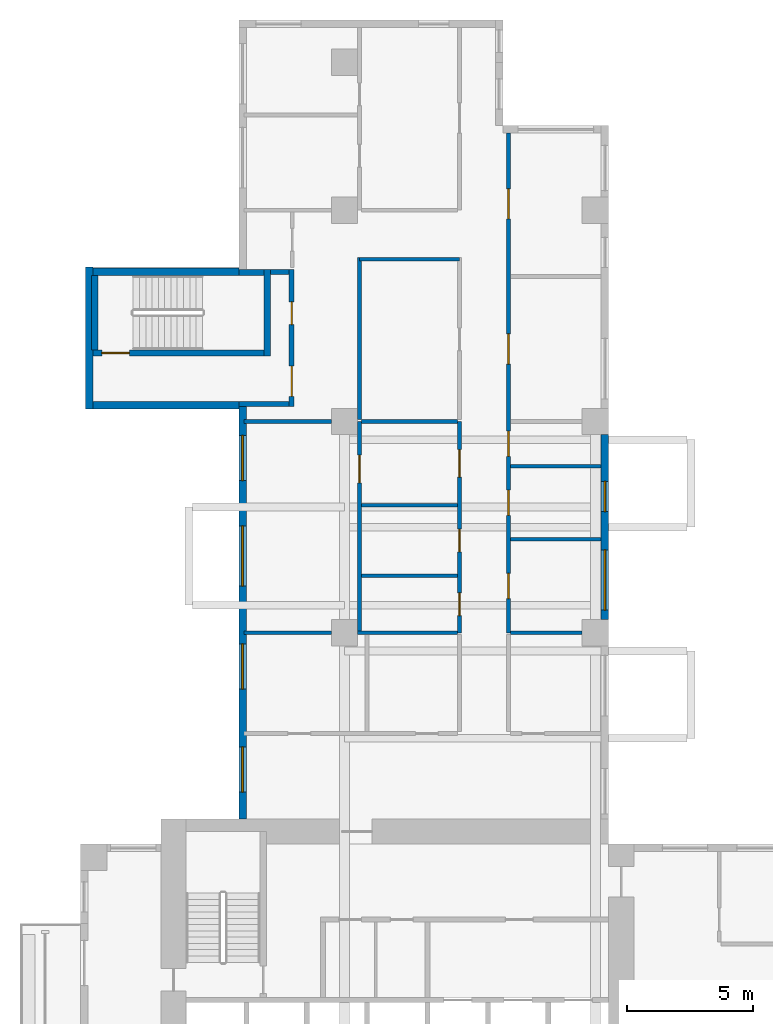
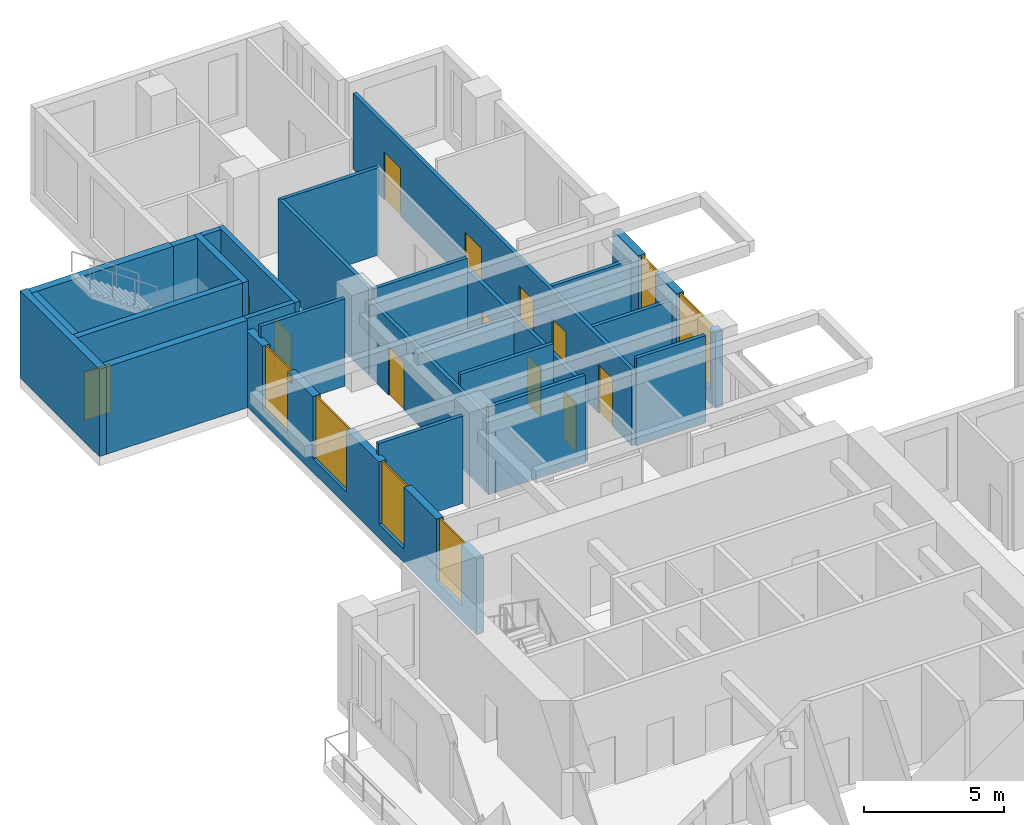
# One storey, part 6 of 14: 26 walls, 12 doors, 6 windows, 18 openings.
"""IFC4 building model written with IfcOpenShell, lengths in metres."""

from ifc_helpers import new_model, si_unit, direction, frame, frame_2d, origin, place, context, subcontext, project, spatial, rectangle, extrude, source, transform, mapped, material, layer, layer_set, type_object, element, fill, save


model = new_model("IFC4")

# Units and contexts
model_context = context("Model", 3, precision=1e-05, world=origin(), true_north=direction((0.0, 1.0)))
body_context = subcontext(model_context, "Body", "Model", "MODEL_VIEW")
ifc_project = project(units=[si_unit("LENGTHUNIT", "METRE"), si_unit("AREAUNIT", "SQUARE_METRE"), si_unit("VOLUMEUNIT", "CUBIC_METRE"), si_unit("PLANEANGLEUNIT", "RADIAN"), si_unit("MASSUNIT", "GRAM", prefix="KILO")], contexts=[model_context])

# Site, building, storey
site_placement = place(None, origin())
site = spatial("IfcSite", under=ifc_project, at=site_placement, CompositionType="ELEMENT")
building_placement = place(site_placement, origin())
building = spatial("IfcBuilding", under=site, at=building_placement, Name="Aurelian Terraces", CompositionType="ELEMENT")
storey_placement = place(building_placement, frame((0.0, 0.0, 103.5)))
storey = spatial("IfcBuildingStorey", under=building, at=storey_placement, Name="L22", CompositionType="ELEMENT", Elevation=103.5)

# Wall, openings, windows
ifc_material_1 = material(Name="Terracotta rainscreen cladding", Category="masonry")
ifc_layer_1 = layer(ifc_material_1, 0.3)
ifc_layer_set_1 = layer_set([ifc_layer_1], Name="EW-300")
wall_type_1 = type_object("IfcWallType", Name="EW-300", PredefinedType="STANDARD", material=ifc_layer_set_1)
wall_1_placement = place(storey_placement, frame((20.85, 29.925, 0.0), z_axis=(0.0, 0.0, 1.0), x_axis=(0.0, 1.0, 0.0)))
wall_1 = element("IfcWall", 1, at=wall_1_placement, inside=storey, type_object=wall_type_1, Name="External wall L22 F12.25", PredefinedType="STANDARD", context=body_context, shape_type="SweptSolid", body=[
    extrude(rectangle(XDim=7.35, YDim=0.3, at=frame_2d((3.675, 0.0))), origin(), (0.0, 0.0, 1.0), 3.3),
])
shared_shape_1 = source(origin(), body_context, "Body", "SweptSolid", [
    extrude(rectangle(XDim=2.4, YDim=2.7, at=frame_2d((1.2, 1.35))), frame((0.0, 0.16, 0.0), z_axis=(0.0, -1.0, 0.0), x_axis=(1.0, 0.0, 0.0)), (0.0, 0.0, 1.0), 0.32),
])
opening_1_placement = place(wall_1_placement, frame((0.375, 0.0, 0.6)))
opening_1 = element("IfcOpeningElement", 2, at=opening_1_placement, cuts=wall_1, Name="Opening W2427", PredefinedType="OPENING", context=body_context, shape_type="MappedRepresentation", body=[
    mapped(shared_shape_1, transform((0.0, 0.0, 0.0), scale=1.0)),
])
shared_shape_2 = source(origin(), body_context, "Body", "SweptSolid", [
    extrude(rectangle(XDim=1.2, YDim=2.7, at=frame_2d((0.6, 1.35))), frame((0.0, 0.16, 0.0), z_axis=(0.0, -1.0, 0.0), x_axis=(1.0, 0.0, 0.0)), (0.0, 0.0, 1.0), 0.32),
])
opening_2_placement = place(wall_1_placement, frame((4.2933, 0.0, 0.6)))
opening_2 = element("IfcOpeningElement", 3, at=opening_2_placement, cuts=wall_1, Name="Opening W1227", PredefinedType="OPENING", context=body_context, shape_type="MappedRepresentation", body=[
    mapped(shared_shape_2, transform((0.0, 0.0, 0.0), scale=1.0)),
])
ifc_material_2 = material(Name="Clear glazing", Category="glass")
window_type_1 = type_object("IfcWindowType", Name="W-2400x2700", PartitioningType="SINGLE_PANEL", PredefinedType="WINDOW", material=ifc_material_2)
shared_shape_3 = source(origin(), body_context, "Body", "SweptSolid", [
    extrude(rectangle(XDim=2.4, YDim=2.7, at=frame_2d((1.2, 1.35))), frame((0.0, 0.03, 0.0), z_axis=(0.0, -1.0, 0.0), x_axis=(1.0, 0.0, 0.0)), (0.0, 0.0, 1.0), 0.06),
])
window_1_placement = place(opening_1_placement, origin())
window_1 = element("IfcWindow", 4, at=window_1_placement, inside=storey, type_object=window_type_1, Name="Window L22 L22-F12-25-0", OverallHeight=2.7, OverallWidth=2.4, PartitioningType="SINGLE_PANEL", PredefinedType="WINDOW", context=body_context, shape_type="MappedRepresentation", body=[
    mapped(shared_shape_3, transform((0.0, 0.0, 0.0), scale=1.0)),
])
fill(opening_1, window_1)
window_type_2 = type_object("IfcWindowType", Name="W-1200x2700", PartitioningType="SINGLE_PANEL", PredefinedType="WINDOW", material=ifc_material_2)
shared_shape_4 = source(origin(), body_context, "Body", "SweptSolid", [
    extrude(rectangle(XDim=1.2, YDim=2.7, at=frame_2d((0.6, 1.35))), frame((0.0, 0.03, 0.0), z_axis=(0.0, -1.0, 0.0), x_axis=(1.0, 0.0, 0.0)), (0.0, 0.0, 1.0), 0.06),
])
window_2_placement = place(opening_2_placement, origin())
window_2 = element("IfcWindow", 5, at=window_2_placement, inside=storey, type_object=window_type_2, Name="Window L22 L22-F12-25-G0-33", OverallHeight=2.7, OverallWidth=1.2, PartitioningType="SINGLE_PANEL", PredefinedType="WINDOW", context=body_context, shape_type="MappedRepresentation", body=[
    mapped(shared_shape_4, transform((0.0, 0.0, 0.0), scale=1.0)),
])
fill(opening_2, window_2)

wall_2_placement = place(storey_placement, frame((6.45, 38.4, 0.0), z_axis=(0.0, 0.0, 1.0), x_axis=(0.0, -1.0, 0.0)))
wall_2 = element("IfcWall", 6, at=wall_2_placement, inside=storey, type_object=wall_type_1, Name="External wall L22 F20.36", PredefinedType="STANDARD", context=body_context, shape_type="SweptSolid", body=[
    extrude(rectangle(XDim=16.4, YDim=0.3, at=frame_2d((8.2, 0.0))), origin(), (0.0, 0.0, 1.0), 3.3),
])
shared_shape_5 = source(origin(), body_context, "Body", "SweptSolid", [
    extrude(rectangle(XDim=1.8, YDim=2.7, at=frame_2d((0.9, 1.35))), frame((0.0, 0.16, 0.0), z_axis=(0.0, -1.0, 0.0), x_axis=(1.0, 0.0, 0.0)), (0.0, 0.0, 1.0), 0.32),
])
opening_3_placement = place(wall_2_placement, frame((1.15, 0.0, 0.6)))
opening_3 = element("IfcOpeningElement", 7, at=opening_3_placement, cuts=wall_2, Name="Opening W1827", PredefinedType="OPENING", context=body_context, shape_type="MappedRepresentation", body=[
    mapped(shared_shape_5, transform((0.0, 0.0, 0.0), scale=1.0)),
])
opening_4_placement = place(wall_2_placement, frame((4.75, 0.0, 0.6)))
opening_4 = element("IfcOpeningElement", 8, at=opening_4_placement, cuts=wall_2, Name="Opening W2427", PredefinedType="OPENING", context=body_context, shape_type="MappedRepresentation", body=[
    mapped(shared_shape_1, transform((0.0, 0.0, 0.0), scale=1.0)),
])
opening_5_placement = place(wall_2_placement, frame((9.4375, 0.0, 0.6)))
opening_5 = element("IfcOpeningElement", 9, at=opening_5_placement, cuts=wall_2, Name="Opening W1827", PredefinedType="OPENING", context=body_context, shape_type="MappedRepresentation", body=[
    mapped(shared_shape_5, transform((0.0, 0.0, 0.0), scale=1.0)),
])
opening_6_placement = place(wall_2_placement, frame((13.5375, 0.0, 0.6)))
opening_6 = element("IfcOpeningElement", 10, at=opening_6_placement, cuts=wall_2, Name="Opening W1827", PredefinedType="OPENING", context=body_context, shape_type="MappedRepresentation", body=[
    mapped(shared_shape_5, transform((0.0, 0.0, 0.0), scale=1.0)),
])
window_3_placement = place(opening_4_placement, origin())
window_3 = element("IfcWindow", 11, at=window_3_placement, inside=storey, type_object=window_type_1, Name="Window L22 L22-F20-36-1", OverallHeight=2.7, OverallWidth=2.4, PartitioningType="SINGLE_PANEL", PredefinedType="WINDOW", context=body_context, shape_type="MappedRepresentation", body=[
    mapped(shared_shape_3, transform((0.0, 0.0, 0.0), scale=1.0)),
])
fill(opening_4, window_3)
window_type_3 = type_object("IfcWindowType", Name="W-1800x2700", PartitioningType="SINGLE_PANEL", PredefinedType="WINDOW", material=ifc_material_2)
shared_shape_6 = source(origin(), body_context, "Body", "SweptSolid", [
    extrude(rectangle(XDim=1.8, YDim=2.7, at=frame_2d((0.9, 1.35))), frame((0.0, 0.03, 0.0), z_axis=(0.0, -1.0, 0.0), x_axis=(1.0, 0.0, 0.0)), (0.0, 0.0, 1.0), 0.06),
])
window_4_placement = place(opening_3_placement, origin())
window_4 = element("IfcWindow", 12, at=window_4_placement, inside=storey, type_object=window_type_3, Name="Window L22 L22-F20-36-0", OverallHeight=2.7, OverallWidth=1.8, PartitioningType="SINGLE_PANEL", PredefinedType="WINDOW", context=body_context, shape_type="MappedRepresentation", body=[
    mapped(shared_shape_6, transform((0.0, 0.0, 0.0), scale=1.0)),
])
fill(opening_3, window_4)
window_5_placement = place(opening_5_placement, origin())
window_5 = element("IfcWindow", 13, at=window_5_placement, inside=storey, type_object=window_type_3, Name="Window L22 L22-F20-36-2", OverallHeight=2.7, OverallWidth=1.8, PartitioningType="SINGLE_PANEL", PredefinedType="WINDOW", context=body_context, shape_type="MappedRepresentation", body=[
    mapped(shared_shape_6, transform((0.0, 0.0, 0.0), scale=1.0)),
])
fill(opening_5, window_5)
window_6_placement = place(opening_6_placement, origin())
window_6 = element("IfcWindow", 14, at=window_6_placement, inside=storey, type_object=window_type_3, Name="Window L22 L22-F20-36-3", OverallHeight=2.7, OverallWidth=1.8, PartitioningType="SINGLE_PANEL", PredefinedType="WINDOW", context=body_context, shape_type="MappedRepresentation", body=[
    mapped(shared_shape_6, transform((0.0, 0.0, 0.0), scale=1.0)),
])
fill(opening_6, window_6)

# Wall, openings, doors
ifc_material_3 = material(Name="Gypsum board on steel studs", Category="steel")
ifc_layer_2 = layer(ifc_material_3, 0.15)
ifc_layer_set_2 = layer_set([ifc_layer_2], Name="Fire partition 150")
wall_type_2 = type_object("IfcWallType", Name="Fire partition 150", PredefinedType="PARTITIONING", material=ifc_layer_set_2)
wall_3_placement = place(storey_placement, frame((17.025, 49.26, 0.0), z_axis=(0.0, 0.0, 1.0), x_axis=(0.0, -1.0, 0.0)))
wall_3 = element("IfcWall", 15, at=wall_3_placement, inside=storey, type_object=wall_type_2, Name="Corridor wall", PredefinedType="PARTITIONING", context=body_context, shape_type="SweptSolid", body=[
    extrude(rectangle(XDim=19.86, YDim=0.15, at=frame_2d((9.93, 0.0))), origin(), (0.0, 0.0, 1.0), 3.3),
])
shared_shape_7 = source(origin(), body_context, "Body", "SweptSolid", [
    extrude(rectangle(XDim=1.0, YDim=2.1, at=frame_2d((0.5, 1.05))), frame((0.0, 0.085, 0.0), z_axis=(0.0, -1.0, 0.0), x_axis=(1.0, 0.0, 0.0)), (0.0, 0.0, 1.0), 0.17),
])
opening_7_placement = place(wall_3_placement, frame((17.5033, 0.0, 0.0)))
opening_7 = element("IfcOpeningElement", 16, at=opening_7_placement, cuts=wall_3, Name="Opening 722036", PredefinedType="OPENING", context=body_context, shape_type="MappedRepresentation", body=[
    mapped(shared_shape_7, transform((0.0, 0.0, 0.0), scale=1.0)),
])
opening_8_placement = place(wall_3_placement, frame((14.1914, 0.0, 0.0)))
opening_8 = element("IfcOpeningElement", 17, at=opening_8_placement, cuts=wall_3, Name="Opening 722037", PredefinedType="OPENING", context=body_context, shape_type="MappedRepresentation", body=[
    mapped(shared_shape_7, transform((0.0, 0.0, 0.0), scale=1.0)),
])
opening_9_placement = place(wall_3_placement, frame((11.848, 0.0, 0.0)))
opening_9 = element("IfcOpeningElement", 18, at=opening_9_placement, cuts=wall_3, Name="Opening 722038", PredefinedType="OPENING", context=body_context, shape_type="MappedRepresentation", body=[
    mapped(shared_shape_7, transform((0.0, 0.0, 0.0), scale=1.0)),
])
shared_shape_8 = source(origin(), body_context, "Body", "SweptSolid", [
    extrude(rectangle(XDim=1.2, YDim=2.1, at=frame_2d((0.6, 1.05))), frame((0.0, 0.085, 0.0), z_axis=(0.0, -1.0, 0.0), x_axis=(1.0, 0.0, 0.0)), (0.0, 0.0, 1.0), 0.17),
])
opening_10_placement = place(wall_3_placement, frame((7.9762, 0.0, 0.0)))
opening_10 = element("IfcOpeningElement", 19, at=opening_10_placement, cuts=wall_3, Name="Opening 722039", PredefinedType="OPENING", context=body_context, shape_type="MappedRepresentation", body=[
    mapped(shared_shape_8, transform((0.0, 0.0, 0.0), scale=1.0)),
])
opening_11_placement = place(wall_3_placement, frame((2.2088, 0.0, 0.0)))
opening_11 = element("IfcOpeningElement", 20, at=opening_11_placement, cuts=wall_3, Name="Opening 722040", PredefinedType="OPENING", context=body_context, shape_type="MappedRepresentation", body=[
    mapped(shared_shape_8, transform((0.0, 0.0, 0.0), scale=1.0)),
])
ifc_material_4 = material(Name="Timber door leaf", Category="wood")
door_type_1 = type_object("IfcDoorType", Name="Room door 1000x2100 left", OperationType="SINGLE_SWING_LEFT", PredefinedType="DOOR", material=ifc_material_4)
shared_shape_9 = source(origin(), body_context, "Body", "SweptSolid", [
    extrude(rectangle(XDim=1.0, YDim=2.1, at=frame_2d((0.5, 1.05))), frame((0.0, 0.025, 0.0), z_axis=(0.0, -1.0, 0.0), x_axis=(1.0, 0.0, 0.0)), (0.0, 0.0, 1.0), 0.05),
])
door_1_placement = place(opening_7_placement, origin())
door_1 = element("IfcDoor", 21, at=door_1_placement, inside=storey, type_object=door_type_1, Name="Door 722036", OperationType="SINGLE_SWING_LEFT", OverallHeight=2.1, OverallWidth=1.0, PredefinedType="DOOR", context=body_context, shape_type="MappedRepresentation", body=[
    mapped(shared_shape_9, transform((0.0, 0.0, 0.0), scale=1.0)),
])
fill(opening_7, door_1)
door_type_2 = type_object("IfcDoorType", Name="Room door 1000x2100 right", OperationType="SINGLE_SWING_RIGHT", PredefinedType="DOOR", material=ifc_material_4)
door_2_placement = place(opening_8_placement, origin())
door_2 = element("IfcDoor", 22, at=door_2_placement, inside=storey, type_object=door_type_2, Name="Door 722037", OperationType="SINGLE_SWING_RIGHT", OverallHeight=2.1, OverallWidth=1.0, PredefinedType="DOOR", context=body_context, shape_type="MappedRepresentation", body=[
    mapped(shared_shape_9, transform((0.0, 0.0, 0.0), scale=1.0)),
])
fill(opening_8, door_2)
door_3_placement = place(opening_9_placement, origin())
door_3 = element("IfcDoor", 23, at=door_3_placement, inside=storey, type_object=door_type_1, Name="Door 722038", OperationType="SINGLE_SWING_LEFT", OverallHeight=2.1, OverallWidth=1.0, PredefinedType="DOOR", context=body_context, shape_type="MappedRepresentation", body=[
    mapped(shared_shape_9, transform((0.0, 0.0, 0.0), scale=1.0)),
])
fill(opening_9, door_3)
door_type_3 = type_object("IfcDoorType", Name="Room door 1200x2100 left", OperationType="SINGLE_SWING_LEFT", PredefinedType="DOOR", material=ifc_material_4)
shared_shape_10 = source(origin(), body_context, "Body", "SweptSolid", [
    extrude(rectangle(XDim=1.2, YDim=2.1, at=frame_2d((0.6, 1.05))), frame((0.0, 0.025, 0.0), z_axis=(0.0, -1.0, 0.0), x_axis=(1.0, 0.0, 0.0)), (0.0, 0.0, 1.0), 0.05),
])
door_4_placement = place(opening_10_placement, origin())
door_4 = element("IfcDoor", 24, at=door_4_placement, inside=storey, type_object=door_type_3, Name="Door 722039", OperationType="SINGLE_SWING_LEFT", OverallHeight=2.1, OverallWidth=1.2, PredefinedType="DOOR", context=body_context, shape_type="MappedRepresentation", body=[
    mapped(shared_shape_10, transform((0.0, 0.0, 0.0), scale=1.0)),
])
fill(opening_10, door_4)
door_type_4 = type_object("IfcDoorType", Name="Room door 1200x2100 right", OperationType="SINGLE_SWING_RIGHT", PredefinedType="DOOR", material=ifc_material_4)
door_5_placement = place(opening_11_placement, origin())
door_5 = element("IfcDoor", 25, at=door_5_placement, inside=storey, type_object=door_type_4, Name="Door 722040", OperationType="SINGLE_SWING_RIGHT", OverallHeight=2.1, OverallWidth=1.2, PredefinedType="DOOR", context=body_context, shape_type="MappedRepresentation", body=[
    mapped(shared_shape_10, transform((0.0, 0.0, 0.0), scale=1.0)),
])
fill(opening_11, door_5)

# Walls
ifc_layer_3 = layer(ifc_material_3, 0.15)
ifc_layer_set_3 = layer_set([ifc_layer_3], Name="Partition 150")
wall_type_3 = type_object("IfcWallType", Name="Partition 150", PredefinedType="PARTITIONING", material=ifc_layer_set_3)
wall_4_placement = place(storey_placement, frame((9.976, 29.4, 0.0), z_axis=(0.0, 0.0, 1.0), x_axis=(-1.0, 0.0, 0.0)))
element("IfcWall", 26, at=wall_4_placement, inside=storey, type_object=wall_type_3, Name="Partition", PredefinedType="PARTITIONING", context=body_context, shape_type="SweptSolid", body=[
    extrude(rectangle(XDim=3.471, YDim=0.15, at=frame_2d((1.7355, 0.0))), origin(), (0.0, 0.0, 1.0), 3.8),
])
wall_5_placement = place(storey_placement, frame((15.0, 34.4708, 0.0), z_axis=(0.0, 0.0, 1.0), x_axis=(-1.0, 0.0, 0.0)))
element("IfcWall", 27, at=wall_5_placement, inside=storey, type_object=wall_type_3, Name="Partition", PredefinedType="PARTITIONING", context=body_context, shape_type="SweptSolid", body=[
    extrude(rectangle(XDim=3.825, YDim=0.15, at=frame_2d((1.9125, 0.0))), origin(), (0.0, 0.0, 1.0), 3.3),
])
ifc_material_5 = material(Name="Concrete fc' 40 MPa", Category="concrete")
ifc_layer_4 = layer(ifc_material_5, 0.3)
ifc_layer_set_4 = layer_set([ifc_layer_4], Name="STAIR BAY WALL 300")
wall_type_4 = type_object("IfcWallType", Name="STAIR BAY WALL 300", PredefinedType="SOLIDWALL", material=ifc_layer_set_4)
shared_shape_11 = source(origin(), body_context, "Body", "SweptSolid", [
    extrude(rectangle(XDim=6.1, YDim=0.3, at=frame_2d((3.05, 0.0))), origin(), (0.0, 0.0, 1.0), 3.8),
])
for number, where, z_axis, x_axis, name in (
    (28, (6.3, 43.75, 0.0), (0.0, 0.0, 1.0), (-1.0, 0.0, 0.0), "Stair bay wall L22 F17.33"),
    (29, (0.2, 38.45, 0.0), (0.0, 0.0, 1.0), (1.0, 0.0, 0.0), "Stair bay wall L22 F19.35"),
):
    element("IfcWall", number, at=place(storey_placement, frame(where, z_axis=z_axis, x_axis=x_axis)), inside=storey, type_object=wall_type_4, Name=name, PredefinedType="SOLIDWALL", context=body_context, shape_type="MappedRepresentation", body=[
        mapped(shared_shape_11, transform((0.0, 0.0, 0.0), scale=1.0)),
    ])
shared_shape_12 = source(origin(), body_context, "Body", "SweptSolid", [
    extrude(rectangle(XDim=5.65, YDim=0.3, at=frame_2d((2.825, 0.0))), origin(), (0.0, 0.0, 1.0), 3.8),
])
wall_6_placement = place(storey_placement, frame((0.35, 43.95, 0.0), z_axis=(0.0, 0.0, 1.0), x_axis=(0.0, -1.0, 0.0)))
element("IfcWall", 30, at=wall_6_placement, inside=storey, type_object=wall_type_4, Name="Stair bay wall L22 F18.34", PredefinedType="SOLIDWALL", context=body_context, shape_type="MappedRepresentation", body=[
    mapped(shared_shape_12, transform((0.0, 0.0, 0.0), scale=1.0)),
])

# Wall, opening, door
ifc_layer_5 = layer(ifc_material_5, 0.25)
ifc_layer_set_5 = layer_set([ifc_layer_5], Name="Stair enclosure wall 250")
wall_type_5 = type_object("IfcWallType", Name="Stair enclosure wall 250", PredefinedType="SOLIDWALL", material=ifc_layer_set_5)
shared_shape_13 = source(origin(), body_context, "Body", "SweptSolid", [
    extrude(rectangle(XDim=7.0, YDim=0.25, at=frame_2d((3.5, 0.0))), origin(), (0.0, 0.0, 1.0), 3.8),
])
wall_7_placement = place(storey_placement, frame((0.3, 40.525, 0.0), z_axis=(0.0, 0.0, 1.0), x_axis=(1.0, 0.0, 0.0)))
wall_7 = element("IfcWall", 31, at=wall_7_placement, inside=storey, type_object=wall_type_5, Name="L22 core wall ST-S3-W", PredefinedType="SOLIDWALL", context=body_context, shape_type="MappedRepresentation", body=[
    mapped(shared_shape_13, transform((0.0, 0.0, 0.0), scale=1.0)),
])
shared_shape_14 = source(origin(), body_context, "Body", "SweptSolid", [
    extrude(rectangle(XDim=1.1, YDim=2.1, at=frame_2d((0.55, 1.05))), frame((0.0, 0.135, 0.0), z_axis=(0.0, -1.0, 0.0), x_axis=(1.0, 0.0, 0.0)), (0.0, 0.0, 1.0), 0.27),
])
opening_12_placement = place(wall_7_placement, frame((0.55, 0.0, 0.0)))
opening_12 = element("IfcOpeningElement", 32, at=opening_12_placement, cuts=wall_7, Name="Opening 62517", PredefinedType="OPENING", context=body_context, shape_type="MappedRepresentation", body=[
    mapped(shared_shape_14, transform((0.0, 0.0, 0.0), scale=1.0)),
])
ifc_material_6 = material(Name="Steel door leaf", Category="steel")
door_type_5 = type_object("IfcDoorType", Name="Core fire door 1100x2100", OperationType="SINGLE_SWING_LEFT", PredefinedType="DOOR", material=ifc_material_6)
shared_shape_15 = source(origin(), body_context, "Body", "SweptSolid", [
    extrude(rectangle(XDim=1.1, YDim=2.1, at=frame_2d((0.55, 1.05))), frame((0.0, 0.025, 0.0), z_axis=(0.0, -1.0, 0.0), x_axis=(1.0, 0.0, 0.0)), (0.0, 0.0, 1.0), 0.05),
])
door_6_placement = place(opening_12_placement, origin())
door_6 = element("IfcDoor", 33, at=door_6_placement, inside=storey, type_object=door_type_5, Name="Stair door 62517", OperationType="SINGLE_SWING_LEFT", OverallHeight=2.1, OverallWidth=1.1, PredefinedType="DOOR", context=body_context, shape_type="MappedRepresentation", body=[
    mapped(shared_shape_15, transform((0.0, 0.0, 0.0), scale=1.0)),
])
fill(opening_12, door_6)

# Walls
shared_shape_16 = source(origin(), body_context, "Body", "SweptSolid", [
    extrude(rectangle(XDim=3.45, YDim=0.25, at=frame_2d((1.725, 0.0))), origin(), (0.0, 0.0, 1.0), 3.8),
])
wall_8_placement = place(storey_placement, frame((7.425, 40.4, 0.0), z_axis=(0.0, 0.0, 1.0), x_axis=(0.0, 1.0, 0.0)))
element("IfcWall", 34, at=wall_8_placement, inside=storey, type_object=wall_type_5, Name="L22 core wall ST-S3-N", PredefinedType="SOLIDWALL", context=body_context, shape_type="MappedRepresentation", body=[
    mapped(shared_shape_16, transform((0.0, 0.0, 0.0), scale=1.0)),
])
shared_shape_17 = source(origin(), body_context, "Body", "SweptSolid", [
    extrude(rectangle(XDim=2.95, YDim=0.25, at=frame_2d((1.475, 0.0))), origin(), (0.0, 0.0, 1.0), 3.8),
])
wall_9_placement = place(storey_placement, frame((0.575, 40.65, 0.0), z_axis=(0.0, 0.0, 1.0), x_axis=(0.0, 1.0, 0.0)))
element("IfcWall", 35, at=wall_9_placement, inside=storey, type_object=wall_type_5, Name="L22 core wall ST-S3-SS", PredefinedType="SOLIDWALL", context=body_context, shape_type="MappedRepresentation", body=[
    mapped(shared_shape_17, transform((0.0, 0.0, 0.0), scale=1.0)),
])

# Wall, openings, doors
ifc_layer_6 = layer(ifc_material_3, 0.2)
ifc_layer_set_6 = layer_set([ifc_layer_6], Name="Core partition 200")
wall_type_6 = type_object("IfcWallType", Name="Core partition 200", PredefinedType="PARTITIONING", material=ifc_layer_set_6)
shared_shape_18 = source(origin(), body_context, "Body", "SweptSolid", [
    extrude(rectangle(XDim=5.45, YDim=0.2, at=frame_2d((2.725, 0.0))), origin(), (0.0, 0.0, 1.0), 3.8),
])
wall_10_placement = place(storey_placement, frame((8.4, 38.4, 0.0), z_axis=(0.0, 0.0, 1.0), x_axis=(0.0, 1.0, 0.0)))
wall_10 = element("IfcWall", 36, at=wall_10_placement, inside=storey, type_object=wall_type_6, Name="L22 core wall ST-S3-BN", PredefinedType="PARTITIONING", context=body_context, shape_type="MappedRepresentation", body=[
    mapped(shared_shape_18, transform((0.0, 0.0, 0.0), scale=1.0)),
])
shared_shape_19 = source(origin(), body_context, "Body", "SweptSolid", [
    extrude(rectangle(XDim=1.2, YDim=2.1, at=frame_2d((0.6, 1.05))), frame((0.0, 0.11, 0.0), z_axis=(0.0, -1.0, 0.0), x_axis=(1.0, 0.0, 0.0)), (0.0, 0.0, 1.0), 0.22),
])
opening_13_placement = place(wall_10_placement, frame((0.4, 0.0, 0.0)))
opening_13 = element("IfcOpeningElement", 37, at=opening_13_placement, cuts=wall_10, Name="Opening 62518", PredefinedType="OPENING", context=body_context, shape_type="MappedRepresentation", body=[
    mapped(shared_shape_19, transform((0.0, 0.0, 0.0), scale=1.0)),
])
shared_shape_20 = source(origin(), body_context, "Body", "SweptSolid", [
    extrude(rectangle(XDim=0.9, YDim=2.1, at=frame_2d((0.45, 1.05))), frame((0.0, 0.11, 0.0), z_axis=(0.0, -1.0, 0.0), x_axis=(1.0, 0.0, 0.0)), (0.0, 0.0, 1.0), 0.22),
])
opening_14_placement = place(wall_10_placement, frame((3.25, 0.0, 0.0)))
opening_14 = element("IfcOpeningElement", 38, at=opening_14_placement, cuts=wall_10, Name="Opening 62519", PredefinedType="OPENING", context=body_context, shape_type="MappedRepresentation", body=[
    mapped(shared_shape_20, transform((0.0, 0.0, 0.0), scale=1.0)),
])
door_type_6 = type_object("IfcDoorType", Name="Core riser door 900x2100", OperationType="SINGLE_SWING_LEFT", PredefinedType="DOOR", material=ifc_material_6)
shared_shape_21 = source(origin(), body_context, "Body", "SweptSolid", [
    extrude(rectangle(XDim=0.9, YDim=2.1, at=frame_2d((0.45, 1.05))), frame((0.0, 0.025, 0.0), z_axis=(0.0, -1.0, 0.0), x_axis=(1.0, 0.0, 0.0)), (0.0, 0.0, 1.0), 0.05),
])
door_7_placement = place(opening_14_placement, origin())
door_7 = element("IfcDoor", 39, at=door_7_placement, inside=storey, type_object=door_type_6, Name="Riser door 62519", OperationType="SINGLE_SWING_LEFT", OverallHeight=2.1, OverallWidth=0.9, PredefinedType="DOOR", context=body_context, shape_type="MappedRepresentation", body=[
    mapped(shared_shape_21, transform((0.0, 0.0, 0.0), scale=1.0)),
])
fill(opening_14, door_7)
door_type_7 = type_object("IfcDoorType", Name="Core fire door 1200x2100 right", OperationType="SINGLE_SWING_RIGHT", PredefinedType="DOOR", material=ifc_material_6)
door_8_placement = place(opening_13_placement, origin())
door_8 = element("IfcDoor", 40, at=door_8_placement, inside=storey, type_object=door_type_7, Name="Vestibule door 62518", OperationType="SINGLE_SWING_RIGHT", OverallHeight=2.1, OverallWidth=1.2, PredefinedType="DOOR", context=body_context, shape_type="MappedRepresentation", body=[
    mapped(shared_shape_10, transform((0.0, 0.0, 0.0), scale=1.0)),
])
fill(opening_13, door_8)

# Walls
shared_shape_22 = source(origin(), body_context, "Body", "SweptSolid", [
    extrude(rectangle(XDim=0.75, YDim=0.2, at=frame_2d((0.375, 0.0))), origin(), (0.0, 0.0, 1.0), 3.8),
])
wall_11_placement = place(storey_placement, frame((7.55, 43.75, 0.0), z_axis=(0.0, 0.0, 1.0), x_axis=(1.0, 0.0, 0.0)))
element("IfcWall", 41, at=wall_11_placement, inside=storey, type_object=wall_type_6, Name="L22 core wall ST-S3-RE", PredefinedType="PARTITIONING", context=body_context, shape_type="MappedRepresentation", body=[
    mapped(shared_shape_22, transform((0.0, 0.0, 0.0), scale=1.0)),
])
shared_shape_23 = source(origin(), body_context, "Body", "SweptSolid", [
    extrude(rectangle(XDim=1.0, YDim=0.25, at=frame_2d((0.5, 0.0))), origin(), (0.0, 0.0, 1.0), 3.8),
])
wall_12_placement = place(storey_placement, frame((6.3, 43.725, 0.0), z_axis=(0.0, 0.0, 1.0), x_axis=(1.0, 0.0, 0.0)))
element("IfcWall", 42, at=wall_12_placement, inside=storey, type_object=wall_type_5, Name="L22 core wall ST-S3-E", PredefinedType="SOLIDWALL", context=body_context, shape_type="MappedRepresentation", body=[
    mapped(shared_shape_23, transform((0.0, 0.0, 0.0), scale=1.0)),
])
shared_shape_24 = source(origin(), body_context, "Body", "SweptSolid", [
    extrude(rectangle(XDim=2.0, YDim=0.2, at=frame_2d((1.0, 0.0))), origin(), (0.0, 0.0, 1.0), 3.8),
])
wall_13_placement = place(storey_placement, frame((6.3, 38.5, 0.0), z_axis=(0.0, 0.0, 1.0), x_axis=(1.0, 0.0, 0.0)))
element("IfcWall", 43, at=wall_13_placement, inside=storey, type_object=wall_type_6, Name="L22 core wall ST-S3-VW", PredefinedType="PARTITIONING", context=body_context, shape_type="MappedRepresentation", body=[
    mapped(shared_shape_24, transform((0.0, 0.0, 0.0), scale=1.0)),
])
shared_shape_25 = source(origin(), body_context, "Body", "SweptSolid", [
    extrude(rectangle(XDim=6.45, YDim=0.15, at=frame_2d((3.225, 0.0))), origin(), (0.0, 0.0, 1.0), 3.8),
])
wall_14_placement = place(storey_placement, frame((11.1, 44.325, 0.0), z_axis=(0.0, 0.0, 1.0), x_axis=(0.0, -1.0, 0.0)))
element("IfcWall", 44, at=wall_14_placement, inside=storey, type_object=wall_type_3, Name="Partition", PredefinedType="PARTITIONING", context=body_context, shape_type="MappedRepresentation", body=[
    mapped(shared_shape_25, transform((0.0, 0.0, 0.0), scale=1.0)),
])
shared_shape_26 = source(origin(), body_context, "Body", "SweptSolid", [
    extrude(rectangle(XDim=3.975, YDim=0.15, at=frame_2d((1.9875, 0.0))), origin(), (0.0, 0.0, 1.0), 3.8),
])
wall_15_placement = place(storey_placement, frame((15.075, 44.25, 0.0), z_axis=(0.0, 0.0, 1.0), x_axis=(-1.0, 0.0, 0.0)))
element("IfcWall", 45, at=wall_15_placement, inside=storey, type_object=wall_type_3, Name="Partition", PredefinedType="PARTITIONING", context=body_context, shape_type="MappedRepresentation", body=[
    mapped(shared_shape_26, transform((0.0, 0.0, 0.0), scale=1.0)),
])
shared_shape_27 = source(origin(), body_context, "Body", "SweptSolid", [
    extrude(rectangle(XDim=3.6, YDim=0.15, at=frame_2d((1.8, 0.0))), origin(), (0.0, 0.0, 1.0), 2.8),
])
for number, where, z_axis, x_axis, name in (
    (46, (17.1, 33.1133, 0.0), (0.0, 0.0, 1.0), (1.0, 0.0, 0.0), "Partition"),
    (47, (17.1, 36.024, 0.0), (0.0, 0.0, 1.0), (1.0, 0.0, 0.0), "Partition"),
):
    element("IfcWall", number, at=place(storey_placement, frame(where, z_axis=z_axis, x_axis=x_axis)), inside=storey, type_object=wall_type_3, Name=name, PredefinedType="PARTITIONING", context=body_context, shape_type="MappedRepresentation", body=[
        mapped(shared_shape_27, transform((0.0, 0.0, 0.0), scale=1.0)),
    ])

# Wall, opening, door
shared_shape_28 = source(origin(), body_context, "Body", "SweptSolid", [
    extrude(rectangle(XDim=8.4, YDim=0.15, at=frame_2d((4.2, 0.0))), origin(), (0.0, 0.0, 1.0), 3.3),
])
wall_16_placement = place(storey_placement, frame((11.1, 29.4, 0.0), z_axis=(0.0, 0.0, 1.0), x_axis=(0.0, 1.0, 0.0)))
wall_16 = element("IfcWall", 48, at=wall_16_placement, inside=storey, type_object=wall_type_3, Name="Partition", PredefinedType="PARTITIONING", context=body_context, shape_type="MappedRepresentation", body=[
    mapped(shared_shape_28, transform((0.0, 0.0, 0.0), scale=1.0)),
])
shared_shape_29 = source(origin(), body_context, "Body", "SweptSolid", [
    extrude(rectangle(XDim=1.1, YDim=2.1, at=frame_2d((0.55, 1.05))), frame((0.0, 0.085, 0.0), z_axis=(0.0, -1.0, 0.0), x_axis=(1.0, 0.0, 0.0)), (0.0, 0.0, 1.0), 0.17),
])
opening_15_placement = place(wall_16_placement, frame((5.9604, 0.0, 0.0)))
opening_15 = element("IfcOpeningElement", 49, at=opening_15_placement, cuts=wall_16, Name="Opening 722030", PredefinedType="OPENING", context=body_context, shape_type="MappedRepresentation", body=[
    mapped(shared_shape_29, transform((0.0, 0.0, 0.0), scale=1.0)),
])
door_type_8 = type_object("IfcDoorType", Name="Room door 1100x2100 right", OperationType="SINGLE_SWING_RIGHT", PredefinedType="DOOR", material=ifc_material_4)
door_9_placement = place(opening_15_placement, origin())
door_9 = element("IfcDoor", 50, at=door_9_placement, inside=storey, type_object=door_type_8, Name="Door 722030", OperationType="SINGLE_SWING_RIGHT", OverallHeight=2.1, OverallWidth=1.1, PredefinedType="DOOR", context=body_context, shape_type="MappedRepresentation", body=[
    mapped(shared_shape_15, transform((0.0, 0.0, 0.0), scale=1.0)),
])
fill(opening_15, door_9)

# Wall, openings, doors
wall_17_placement = place(storey_placement, frame((15.075, 29.4, 0.0), z_axis=(0.0, 0.0, 1.0), x_axis=(0.0, 1.0, 0.0)))
wall_17 = element("IfcWall", 51, at=wall_17_placement, inside=storey, type_object=wall_type_2, Name="Corridor wall", PredefinedType="PARTITIONING", context=body_context, shape_type="MappedRepresentation", body=[
    mapped(shared_shape_28, transform((0.0, 0.0, 0.0), scale=1.0)),
])
opening_16_placement = place(wall_17_placement, frame((6.1854, 0.0, 0.0)))
opening_16 = element("IfcOpeningElement", 52, at=opening_16_placement, cuts=wall_17, Name="Opening 722029", PredefinedType="OPENING", context=body_context, shape_type="MappedRepresentation", body=[
    mapped(shared_shape_29, transform((0.0, 0.0, 0.0), scale=1.0)),
])
shared_shape_30 = source(origin(), body_context, "Body", "SweptSolid", [
    extrude(rectangle(XDim=0.9, YDim=2.1, at=frame_2d((0.45, 1.05))), frame((0.0, 0.085, 0.0), z_axis=(0.0, -1.0, 0.0), x_axis=(1.0, 0.0, 0.0)), (0.0, 0.0, 1.0), 0.17),
])
opening_17_placement = place(wall_17_placement, frame((0.6822, 0.0, 0.0)))
opening_17 = element("IfcOpeningElement", 53, at=opening_17_placement, cuts=wall_17, Name="Opening 722031", PredefinedType="OPENING", context=body_context, shape_type="MappedRepresentation", body=[
    mapped(shared_shape_30, transform((0.0, 0.0, 0.0), scale=1.0)),
])
opening_18_placement = place(wall_17_placement, frame((3.2176, 0.0, 0.0)))
opening_18 = element("IfcOpeningElement", 54, at=opening_18_placement, cuts=wall_17, Name="Opening 722032", PredefinedType="OPENING", context=body_context, shape_type="MappedRepresentation", body=[
    mapped(shared_shape_30, transform((0.0, 0.0, 0.0), scale=1.0)),
])
door_type_9 = type_object("IfcDoorType", Name="Room door 900x2100 left", OperationType="SINGLE_SWING_LEFT", PredefinedType="DOOR", material=ifc_material_4)
door_10_placement = place(opening_17_placement, origin())
door_10 = element("IfcDoor", 55, at=door_10_placement, inside=storey, type_object=door_type_9, Name="Door 722031", OperationType="SINGLE_SWING_LEFT", OverallHeight=2.1, OverallWidth=0.9, PredefinedType="DOOR", context=body_context, shape_type="MappedRepresentation", body=[
    mapped(shared_shape_21, transform((0.0, 0.0, 0.0), scale=1.0)),
])
fill(opening_17, door_10)
door_type_10 = type_object("IfcDoorType", Name="Room door 900x2100 right", OperationType="SINGLE_SWING_RIGHT", PredefinedType="DOOR", material=ifc_material_4)
door_11_placement = place(opening_18_placement, origin())
door_11 = element("IfcDoor", 56, at=door_11_placement, inside=storey, type_object=door_type_10, Name="Door 722032", OperationType="SINGLE_SWING_RIGHT", OverallHeight=2.1, OverallWidth=0.9, PredefinedType="DOOR", context=body_context, shape_type="MappedRepresentation", body=[
    mapped(shared_shape_21, transform((0.0, 0.0, 0.0), scale=1.0)),
])
fill(opening_18, door_11)
door_type_11 = type_object("IfcDoorType", Name="Room door 1100x2100 left", OperationType="SINGLE_SWING_LEFT", PredefinedType="DOOR", material=ifc_material_4)
door_12_placement = place(opening_16_placement, origin())
door_12 = element("IfcDoor", 57, at=door_12_placement, inside=storey, type_object=door_type_11, Name="Door 722029", OperationType="SINGLE_SWING_LEFT", OverallHeight=2.1, OverallWidth=1.1, PredefinedType="DOOR", context=body_context, shape_type="MappedRepresentation", body=[
    mapped(shared_shape_15, transform((0.0, 0.0, 0.0), scale=1.0)),
])
fill(opening_16, door_12)

# Walls
shared_shape_31 = source(origin(), body_context, "Body", "SweptSolid", [
    extrude(rectangle(XDim=3.976, YDim=0.15, at=frame_2d((1.988, 0.0))), origin(), (0.0, 0.0, 1.0), 3.8),
])
wall_18_placement = place(storey_placement, frame((15.0, 29.4, 0.0), z_axis=(0.0, 0.0, 1.0), x_axis=(-1.0, 0.0, 0.0)))
element("IfcWall", 58, at=wall_18_placement, inside=storey, type_object=wall_type_3, Name="Partition", PredefinedType="PARTITIONING", context=body_context, shape_type="MappedRepresentation", body=[
    mapped(shared_shape_31, transform((0.0, 0.0, 0.0), scale=1.0)),
])
shared_shape_32 = source(origin(), body_context, "Body", "SweptSolid", [
    extrude(rectangle(XDim=3.825, YDim=0.15, at=frame_2d((1.9125, 0.0))), origin(), (0.0, 0.0, 1.0), 3.8),
])
for number, where, z_axis, x_axis, name in (
    (59, (15.0, 31.6645, 0.0), (0.0, 0.0, 1.0), (-1.0, 0.0, 0.0), "Partition"),
    (60, (15.0, 37.8, 0.0), (0.0, 0.0, 1.0), (-1.0, 0.0, 0.0), "Partition"),
):
    element("IfcWall", number, at=place(storey_placement, frame(where, z_axis=z_axis, x_axis=x_axis)), inside=storey, type_object=wall_type_3, Name=name, PredefinedType="PARTITIONING", context=body_context, shape_type="MappedRepresentation", body=[
        mapped(shared_shape_32, transform((0.0, 0.0, 0.0), scale=1.0)),
    ])
shared_shape_33 = source(origin(), body_context, "Body", "SweptSolid", [
    extrude(rectangle(XDim=2.851, YDim=0.15, at=frame_2d((1.4255, 0.0))), origin(), (0.0, 0.0, 1.0), 3.8),
])
wall_19_placement = place(storey_placement, frame((19.951, 29.4, 0.0), z_axis=(0.0, 0.0, 1.0), x_axis=(-1.0, 0.0, 0.0)))
element("IfcWall", 61, at=wall_19_placement, inside=storey, type_object=wall_type_3, Name="Partition", PredefinedType="PARTITIONING", context=body_context, shape_type="MappedRepresentation", body=[
    mapped(shared_shape_33, transform((0.0, 0.0, 0.0), scale=1.0)),
])
shared_shape_34 = source(origin(), body_context, "Body", "SweptSolid", [
    extrude(rectangle(XDim=3.471, YDim=0.15, at=frame_2d((1.7355, 0.0))), origin(), (0.0, 0.0, 1.0), 3.8),
])
wall_20_placement = place(storey_placement, frame((9.976, 37.8, 0.0), z_axis=(0.0, 0.0, 1.0), x_axis=(-1.0, 0.0, 0.0)))
element("IfcWall", 62, at=wall_20_placement, inside=storey, type_object=wall_type_3, Name="Partition", PredefinedType="PARTITIONING", context=body_context, shape_type="MappedRepresentation", body=[
    mapped(shared_shape_34, transform((0.0, 0.0, 0.0), scale=1.0)),
])

save(model, "model.ifc")
